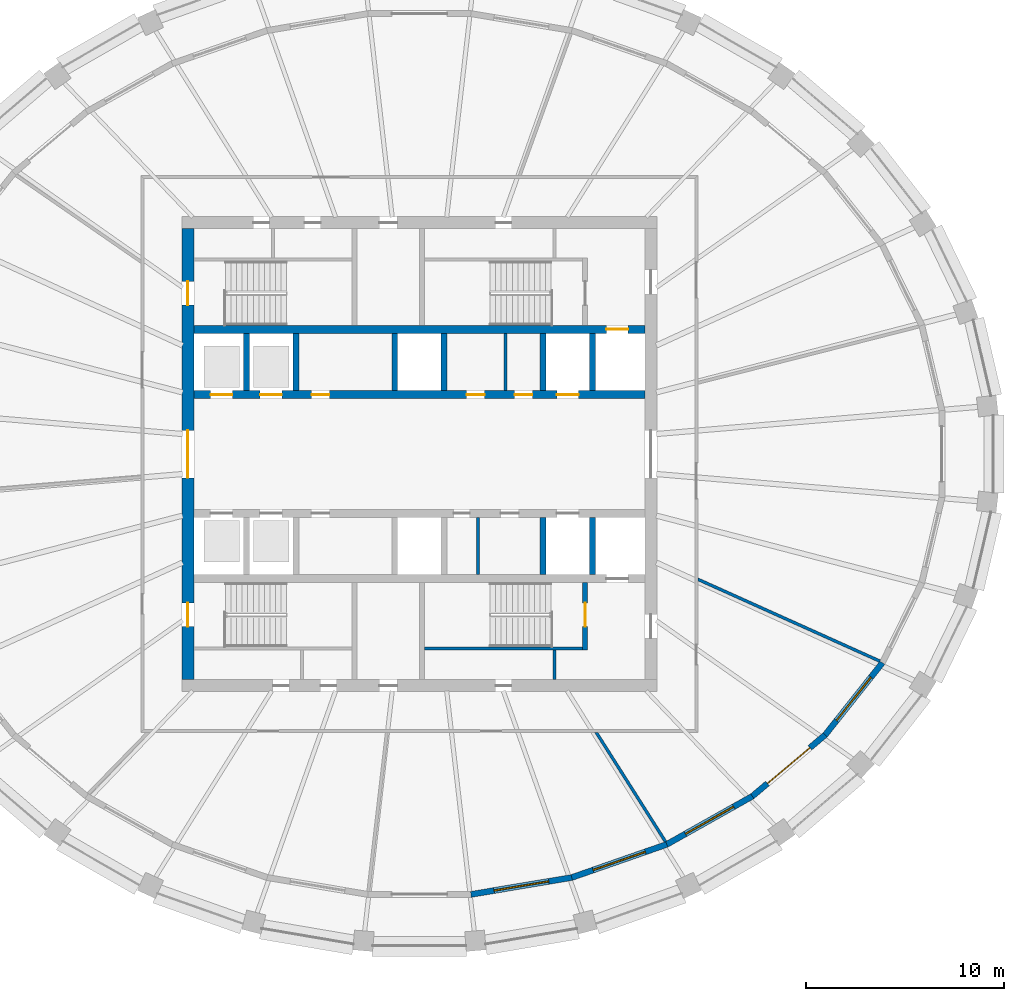
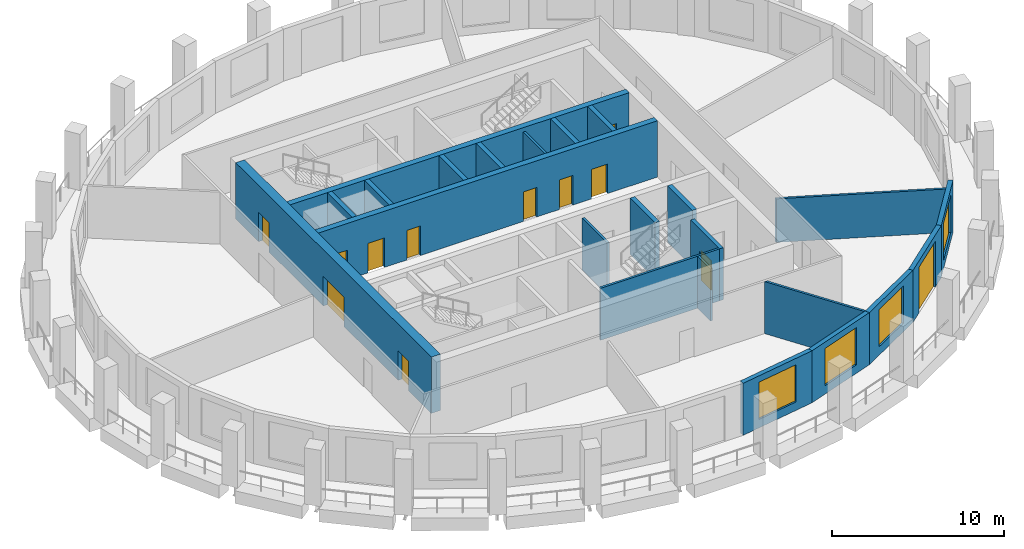
# One storey, part 4 of 10: 23 walls, 12 doors, 4 windows, 16 openings.
"""IFC4 building model written with IfcOpenShell, lengths in metres."""

from ifc_helpers import new_model, si_unit, direction, frame, frame_2d, origin, place, context, subcontext, project, spatial, polyline, rectangle, outline, extrude, material, layer, layer_set, type_object, element, fill, save


model = new_model("IFC4")

# Units and contexts
model_context = context("Model", 3, precision=1e-05, world=origin(), true_north=direction((0.0, 1.0)))
body_context = subcontext(model_context, "Body", "Model", "MODEL_VIEW")
ifc_project = project(units=[si_unit("LENGTHUNIT", "METRE"), si_unit("AREAUNIT", "SQUARE_METRE"), si_unit("VOLUMEUNIT", "CUBIC_METRE"), si_unit("PLANEANGLEUNIT", "RADIAN"), si_unit("MASSUNIT", "GRAM", prefix="KILO")], contexts=[model_context])

# Site, building, storey
site_placement = place(None, origin())
site = spatial("IfcSite", under=ifc_project, at=site_placement, CompositionType="ELEMENT")
building_placement = place(site_placement, origin())
building = spatial("IfcBuilding", under=site, at=building_placement, Name="Halqa Exchange Tower", CompositionType="ELEMENT")
storey_placement = place(building_placement, frame((0.0, 0.0, 300.300048828125)))
storey = spatial("IfcBuildingStorey", under=building, at=storey_placement, Name="L70", CompositionType="ELEMENT", Elevation=300.300048828125)

# Walls
ifc_material_1 = material(Name="Fire-rated gypsum board")
ifc_layer_1 = layer(ifc_material_1, 0.14990234375)
ifc_layer_set_1 = layer_set([ifc_layer_1], Name="Fire-rated gypsum board")
wall_type_1 = type_object("IfcWallType", Name="Fire partition EI 60 150", PredefinedType="PARTITIONING", material=ifc_layer_set_1)
wall_1_placement = place(storey_placement, frame((8.912109375, -14.034912109375, 0.0), z_axis=(0.0, 0.0, 1.0), x_axis=(0.535569757711, -0.844490991442, 0.0)))
element("IfcWall", 1, at=wall_1_placement, inside=storey, type_object=wall_type_1, Name="L70-PWL-009", PredefinedType="PARTITIONING", context=body_context, shape_type="SweptSolid", body=[
    extrude(outline(polyline([(0.0, -0.074951171875), (1.640869140625, -0.074951171875), (3.281494140625, -0.074951171875), (4.92236328125, -0.074951171875), (6.563232421875, -0.074951171875), (6.580810546875, 0.0009765625), (6.584716796875, 0.0732421875), (6.584716796875, 0.074951171875), (4.96240234375, 0.074951171875), (3.33984375, 0.074951171875), (1.717529296875, 0.074951171875), (0.094970703125, 0.074951171875), (0.0, -0.074951171875), (0.0, -0.074951171875)])), origin(), (0.0, 0.0, 1.0), 3.699951171875),
])
wall_2_placement = place(storey_placement, frame((14.044677734375, -6.320068359375, 0.0), z_axis=(0.0, 0.0, 1.0), x_axis=(0.912030730905, -0.410121867114, 0.0)))
element("IfcWall", 2, at=wall_2_placement, inside=storey, type_object=wall_type_1, Name="L70-PWL-011", PredefinedType="PARTITIONING", context=body_context, shape_type="SweptSolid", body=[
    extrude(outline(polyline([(0.06689453125, -0.074951171875), (1.73876953125, -0.074951171875), (3.410400390625, -0.074951171875), (5.082275390625, -0.074951171875), (6.75390625, -0.074951171875), (8.42578125, -0.074951171875), (10.097412109375, -0.074951171875), (10.115478515625, -0.003662109375), (10.1181640625, 0.072998046875), (10.1181640625, 0.074951171875), (8.431884765625, 0.074951171875), (6.745361328125, 0.074951171875), (5.05908203125, 0.074951171875), (3.372802734375, 0.074951171875), (1.686279296875, 0.074951171875), (0.0, 0.074951171875), (0.0, 0.073974609375), (0.06689453125, -0.074951171875)])), origin(), (0.0, 0.0, 1.0), 3.099853515625),
])
ifc_material_2 = material(Name="Gypsum board")
ifc_layer_2 = layer(ifc_material_2, 0.14990234375)
ifc_layer_set_2 = layer_set([ifc_layer_2], Name="Gypsum board")
wall_type_2 = type_object("IfcWallType", Name="Penthouse riser wall 150 gypsum", PredefinedType="PARTITIONING", material=ifc_layer_set_2)
wall_3_placement = place(storey_placement, frame((6.824951171875, -11.39990234375, 0.0), z_axis=(0.0, 0.0, 1.0), x_axis=(0.0, 1.0, 0.0)))
element("IfcWall", 3, at=wall_3_placement, inside=storey, type_object=wall_type_2, Name="Firefighting lobby west wall S", PredefinedType="PARTITIONING", context=body_context, shape_type="SweptSolid", body=[
    extrude(rectangle(XDim=1.5, YDim=0.14990234375, at=frame_2d((0.75, 0.0))), origin(), (0.0, 0.0, 1.0), 3.699951171875),
])
for number, where, z_axis, x_axis, name in (
    (4, (4.35009765625, 3.199951171875, 0.0), (0.0, 0.0, 1.0), (0.0, 1.0, 0.0), "Freed bay partition NE4.350"),
    (5, (2.949951171875, -6.10009765625, 0.0), (0.0, 0.0, 1.0), (0.0, 1.0, 0.0), "Freed bay partition SE2.950"),
):
    element("IfcWall", number, at=place(storey_placement, frame(where, z_axis=z_axis, x_axis=x_axis)), inside=storey, type_object=wall_type_2, Name=name, PredefinedType="PARTITIONING", context=body_context, shape_type="SweptSolid", body=[
        extrude(rectangle(XDim=2.900146484375, YDim=0.14990234375, at=frame_2d((1.4501953125, 0.0))), origin(), (0.0, 0.0, 1.0), 3.699951171875),
    ])
ifc_material_3 = material(Name="Concrete C60/75", Category="concrete")
ifc_layer_3 = layer(ifc_material_3, 0.300048828125)
ifc_layer_set_3 = layer_set([ifc_layer_3], Name="Concrete C60/75")
wall_type_3 = type_object("IfcWallType", Name="RC core wall 300", PredefinedType="SHEAR", material=ifc_layer_set_3)
for number, where, z_axis, x_axis, name in (
    (6, (-8.75, 3.199951171875, 0.0), (0.0, 0.0, 1.0), (0.0, 1.0, 0.0), "Shaft divider N1"),
    (7, (-6.25, 3.199951171875, 0.0), (0.0, 0.0, 1.0), (0.0, 1.0, 0.0), "Shaft divider N2"),
    (8, (-1.25, 3.199951171875, 0.0), (0.0, 0.0, 1.0), (0.0, 1.0, 0.0), "Shaft divider N4"),
    (9, (1.25, 3.199951171875, 0.0), (0.0, 0.0, 1.0), (0.0, 1.0, 0.0), "Shaft divider N5"),
    (10, (6.25, 3.199951171875, 0.0), (0.0, 0.0, 1.0), (0.0, 1.0, 0.0), "Shaft divider N7"),
    (11, (8.75, 3.199951171875, 0.0), (0.0, 0.0, 1.0), (0.0, 1.0, 0.0), "Shaft divider N8"),
    (12, (6.25, -6.10009765625, 0.0), (0.0, 0.0, 1.0), (0.0, 1.0, 0.0), "Shaft divider S7"),
    (13, (8.75, -6.10009765625, 0.0), (0.0, 0.0, 1.0), (0.0, 1.0, 0.0), "Shaft divider S8"),
):
    element("IfcWall", number, at=place(storey_placement, frame(where, z_axis=z_axis, x_axis=x_axis)), inside=storey, type_object=wall_type_3, Name=name, PredefinedType="SHEAR", context=body_context, shape_type="SweptSolid", body=[
        extrude(rectangle(XDim=2.900146484375, YDim=0.300048828125, at=frame_2d((1.4501953125, 0.0))), origin(), (0.0, 0.0, 1.0), 4.0),
    ])

# Wall, openings, doors
ifc_layer_4 = layer(ifc_material_3, 0.39990234375)
ifc_layer_set_4 = layer_set([ifc_layer_4], Name="Concrete C60/75")
wall_type_4 = type_object("IfcWallType", Name="RC core wall 400 C60/75", PredefinedType="SHEAR", material=ifc_layer_set_4)
wall_4_placement = place(storey_placement, frame((-11.39990234375, 3.0, 0.0), z_axis=(0.0, 0.0, 1.0), x_axis=(1.0, 0.0, 0.0)))
wall_4 = element("IfcWall", 14, at=wall_4_placement, inside=storey, type_object=wall_type_4, Name="Lift row front wall N", PredefinedType="SHEAR", context=body_context, shape_type="SweptSolid", body=[
    extrude(rectangle(XDim=22.7998046875, YDim=0.39990234375, at=frame_2d((11.39990234375, 0.0))), origin(), (0.0, 0.0, 1.0), 4.0),
])
opening_1_placement = place(wall_4_placement, frame((0.85009765625, 0.0, 0.0)))
opening_1 = element("IfcOpeningElement", 15, at=opening_1_placement, cuts=wall_4, Name="Opening LD-HR1-T21", PredefinedType="OPENING", context=body_context, shape_type="SweptSolid", body=[
    extrude(rectangle(XDim=1.10009765625, YDim=2.10009765625, at=frame_2d((0.550048828125, 1.050048828125))), frame((0.0, 0.2119140625, 0.0), z_axis=(0.0, -1.0, 0.0), x_axis=(1.0, 0.0, 0.0)), (0.0, 0.0, 1.0), 0.423828125),
])
opening_2_placement = place(wall_4_placement, frame((3.35009765625, 0.0, 0.0)))
opening_2 = element("IfcOpeningElement", 16, at=opening_2_placement, cuts=wall_4, Name="Opening LD-HR2-T21", PredefinedType="OPENING", context=body_context, shape_type="SweptSolid", body=[
    extrude(rectangle(XDim=1.10009765625, YDim=2.10009765625, at=frame_2d((0.550048828125, 1.050048828125))), frame((0.0, 0.2119140625, 0.0), z_axis=(0.0, -1.0, 0.0), x_axis=(1.0, 0.0, 0.0)), (0.0, 0.0, 1.0), 0.423828125),
])
opening_3_placement = place(wall_4_placement, frame((18.35009765625, 0.0, 0.0)))
opening_3 = element("IfcOpeningElement", 17, at=opening_3_placement, cuts=wall_4, Name="Opening LD-SV1-T21", PredefinedType="OPENING", context=body_context, shape_type="SweptSolid", body=[
    extrude(rectangle(XDim=1.10009765625, YDim=2.10009765625, at=frame_2d((0.550048828125, 1.050048828125))), frame((0.0, 0.2119140625, 0.0), z_axis=(0.0, -1.0, 0.0), x_axis=(1.0, 0.0, 0.0)), (0.0, 0.0, 1.0), 0.423828125),
])
opening_4_placement = place(wall_4_placement, frame((13.78759765625, 0.0, 0.0)))
opening_4 = element("IfcOpeningElement", 18, at=opening_4_placement, cuts=wall_4, Name="Opening T21-C25", PredefinedType="OPENING", context=body_context, shape_type="SweptSolid", body=[
    extrude(rectangle(XDim=0.89990234375, YDim=2.10009765625, at=frame_2d((0.449951171875, 1.050048828125))), frame((0.0, 0.2119140625, 0.0), z_axis=(0.0, -1.0, 0.0), x_axis=(1.0, 0.0, 0.0)), (0.0, 0.0, 1.0), 0.423828125),
])
opening_5_placement = place(wall_4_placement, frame((16.21240234375, 0.0, 0.0)))
opening_5 = element("IfcOpeningElement", 19, at=opening_5_placement, cuts=wall_4, Name="Opening T21-C26", PredefinedType="OPENING", context=body_context, shape_type="SweptSolid", body=[
    extrude(rectangle(XDim=0.89990234375, YDim=2.10009765625, at=frame_2d((0.449951171875, 1.050048828125))), frame((0.0, 0.2119140625, 0.0), z_axis=(0.0, -1.0, 0.0), x_axis=(1.0, 0.0, 0.0)), (0.0, 0.0, 1.0), 0.423828125),
])
opening_6_placement = place(wall_4_placement, frame((5.949951171875, 0.0, 0.0)))
opening_6 = element("IfcOpeningElement", 20, at=opening_6_placement, cuts=wall_4, Name="Opening T21-C27", PredefinedType="OPENING", context=body_context, shape_type="SweptSolid", body=[
    extrude(rectangle(XDim=0.89990234375, YDim=2.10009765625, at=frame_2d((0.449951171875, 1.050048828125))), frame((0.0, 0.2119140625, 0.0), z_axis=(0.0, -1.0, 0.0), x_axis=(1.0, 0.0, 0.0)), (0.0, 0.0, 1.0), 0.423828125),
])
ifc_material_4 = material(Name="Timber fire door leaf", Category="wood")
door_type_1 = type_object("IfcDoorType", Name="Core room door FD30 900 x 2100", OperationType="SINGLE_SWING_LEFT", PredefinedType="DOOR", material=ifc_material_4)
door_1_placement = place(opening_4_placement, origin())
door_1 = element("IfcDoor", 21, at=door_1_placement, inside=storey, type_object=door_type_1, Name="Core room door", OperationType="SINGLE_SWING_RIGHT", OverallHeight=2.10009765625, OverallWidth=0.89990234375, PredefinedType="DOOR", context=body_context, shape_type="SweptSolid", body=[
    extrude(rectangle(XDim=0.89990234375, YDim=2.10009765625, at=frame_2d((0.449951171875, 1.050048828125))), frame((0.0, 0.02490234375, 0.0), z_axis=(0.0, -1.0, 0.0), x_axis=(1.0, 0.0, 0.0)), (0.0, 0.0, 1.0), 0.050048828125),
])
fill(opening_4, door_1)
door_2_placement = place(opening_5_placement, origin())
door_2 = element("IfcDoor", 22, at=door_2_placement, inside=storey, type_object=door_type_1, Name="Core room door", OperationType="SINGLE_SWING_RIGHT", OverallHeight=2.10009765625, OverallWidth=0.89990234375, PredefinedType="DOOR", context=body_context, shape_type="SweptSolid", body=[
    extrude(rectangle(XDim=0.89990234375, YDim=2.10009765625, at=frame_2d((0.449951171875, 1.050048828125))), frame((0.0, 0.02490234375, 0.0), z_axis=(0.0, -1.0, 0.0), x_axis=(1.0, 0.0, 0.0)), (0.0, 0.0, 1.0), 0.050048828125),
])
fill(opening_5, door_2)
door_3_placement = place(opening_6_placement, origin())
door_3 = element("IfcDoor", 23, at=door_3_placement, inside=storey, type_object=door_type_1, Name="Core room door", OperationType="SINGLE_SWING_RIGHT", OverallHeight=2.10009765625, OverallWidth=0.89990234375, PredefinedType="DOOR", context=body_context, shape_type="SweptSolid", body=[
    extrude(rectangle(XDim=0.89990234375, YDim=2.10009765625, at=frame_2d((0.449951171875, 1.050048828125))), frame((0.0, 0.02490234375, 0.0), z_axis=(0.0, -1.0, 0.0), x_axis=(1.0, 0.0, 0.0)), (0.0, 0.0, 1.0), 0.050048828125),
])
fill(opening_6, door_3)
ifc_material_5 = material(Name="Stainless steel", Category="steel")
door_type_2 = type_object("IfcDoorType", Name="Lift landing door 1100 x 2100", OperationType="SLIDING_TO_LEFT", PredefinedType="DOOR", material=ifc_material_5)
door_4_placement = place(opening_1_placement, origin())
door_4 = element("IfcDoor", 24, at=door_4_placement, inside=storey, type_object=door_type_2, Name="Lift landing door HR1", OperationType="SLIDING_TO_LEFT", OverallHeight=2.10009765625, OverallWidth=1.10009765625, PredefinedType="DOOR", context=body_context, shape_type="SweptSolid", body=[
    extrude(rectangle(XDim=1.10009765625, YDim=2.10009765625, at=frame_2d((0.550048828125, 1.050048828125))), frame((0.0, 0.02490234375, 0.0), z_axis=(0.0, -1.0, 0.0), x_axis=(1.0, 0.0, 0.0)), (0.0, 0.0, 1.0), 0.050048828125),
])
fill(opening_1, door_4)
door_5_placement = place(opening_2_placement, origin())
door_5 = element("IfcDoor", 25, at=door_5_placement, inside=storey, type_object=door_type_2, Name="Lift landing door HR2", OperationType="SLIDING_TO_LEFT", OverallHeight=2.10009765625, OverallWidth=1.10009765625, PredefinedType="DOOR", context=body_context, shape_type="SweptSolid", body=[
    extrude(rectangle(XDim=1.10009765625, YDim=2.10009765625, at=frame_2d((0.550048828125, 1.050048828125))), frame((0.0, 0.02490234375, 0.0), z_axis=(0.0, -1.0, 0.0), x_axis=(1.0, 0.0, 0.0)), (0.0, 0.0, 1.0), 0.050048828125),
])
fill(opening_2, door_5)
door_6_placement = place(opening_3_placement, origin())
door_6 = element("IfcDoor", 26, at=door_6_placement, inside=storey, type_object=door_type_2, Name="Lift landing door SV1", OperationType="SLIDING_TO_LEFT", OverallHeight=2.10009765625, OverallWidth=1.10009765625, PredefinedType="DOOR", context=body_context, shape_type="SweptSolid", body=[
    extrude(rectangle(XDim=1.10009765625, YDim=2.10009765625, at=frame_2d((0.550048828125, 1.050048828125))), frame((0.0, 0.02490234375, 0.0), z_axis=(0.0, -1.0, 0.0), x_axis=(1.0, 0.0, 0.0)), (0.0, 0.0, 1.0), 0.050048828125),
])
fill(opening_3, door_6)

# Wall, opening, door
wall_5_placement = place(storey_placement, frame((-11.39990234375, 6.300048828125, 0.0), z_axis=(0.0, 0.0, 1.0), x_axis=(1.0, 0.0, 0.0)))
wall_5 = element("IfcWall", 27, at=wall_5_placement, inside=storey, type_object=wall_type_4, Name="Lift row back wall N", PredefinedType="SHEAR", context=body_context, shape_type="SweptSolid", body=[
    extrude(rectangle(XDim=22.7998046875, YDim=0.39990234375, at=frame_2d((11.39990234375, 0.0))), origin(), (0.0, 0.0, 1.0), 4.0),
])
opening_7_placement = place(wall_5_placement, frame((20.85009765625, 0.0, 0.0)))
opening_7 = element("IfcOpeningElement", 28, at=opening_7_placement, cuts=wall_5, Name="Opening LD-FF1-T21", PredefinedType="OPENING", context=body_context, shape_type="SweptSolid", body=[
    extrude(rectangle(XDim=1.10009765625, YDim=2.10009765625, at=frame_2d((0.550048828125, 1.050048828125))), frame((0.0, 0.2119140625, 0.0), z_axis=(0.0, -1.0, 0.0), x_axis=(1.0, 0.0, 0.0)), (0.0, 0.0, 1.0), 0.423828125),
])
door_7_placement = place(opening_7_placement, origin())
door_7 = element("IfcDoor", 29, at=door_7_placement, inside=storey, type_object=door_type_2, Name="Lift landing door FF1", OperationType="SLIDING_TO_LEFT", OverallHeight=2.10009765625, OverallWidth=1.10009765625, PredefinedType="DOOR", context=body_context, shape_type="SweptSolid", body=[
    extrude(rectangle(XDim=1.10009765625, YDim=2.10009765625, at=frame_2d((0.550048828125, 1.050048828125))), frame((0.0, 0.02490234375, 0.0), z_axis=(0.0, -1.0, 0.0), x_axis=(1.0, 0.0, 0.0)), (0.0, 0.0, 1.0), 0.050048828125),
])
fill(opening_7, door_7)

# Wall, openings, doors
ifc_layer_5 = layer(ifc_material_3, 0.60009765625)
ifc_layer_set_5 = layer_set([ifc_layer_5], Name="Concrete C60/75")
wall_type_5 = type_object("IfcWallType", Name="RC core wall 600 C60/75", PredefinedType="SHEAR", material=ifc_layer_set_5)
wall_6_placement = place(storey_placement, frame((-11.699951171875, -11.39990234375, 0.0), z_axis=(0.0, 0.0, 1.0), x_axis=(0.0, 1.0, 0.0)))
wall_6 = element("IfcWall", 30, at=wall_6_placement, inside=storey, type_object=wall_type_5, Name="Core wall west", PredefinedType="SHEAR", context=body_context, shape_type="SweptSolid", body=[
    extrude(rectangle(XDim=22.7998046875, YDim=0.60009765625, at=frame_2d((11.39990234375, 0.0))), origin(), (0.0, 0.0, 1.0), 4.0),
])
opening_8_placement = place(wall_6_placement, frame((10.199951171875, 0.0, 0.0)))
opening_8 = element("IfcOpeningElement", 31, at=opening_8_placement, cuts=wall_6, Name="Opening T21-C09", PredefinedType="OPENING", context=body_context, shape_type="SweptSolid", body=[
    extrude(rectangle(XDim=2.39990234375, YDim=2.10009765625, at=frame_2d((1.199951171875, 1.050048828125))), frame((0.0, 0.31201171875, 0.0), z_axis=(0.0, -1.0, 0.0), x_axis=(1.0, 0.0, 0.0)), (0.0, 0.0, 1.0), 0.6240234375),
])
opening_9_placement = place(wall_6_placement, frame((18.925048828125, 0.0, 0.0)))
opening_9 = element("IfcOpeningElement", 32, at=opening_9_placement, cuts=wall_6, Name="Opening T21-C11", PredefinedType="OPENING", context=body_context, shape_type="SweptSolid", body=[
    extrude(rectangle(XDim=1.199951171875, YDim=2.10009765625, at=frame_2d((0.60009765625, 1.050048828125))), frame((0.0, 0.31201171875, 0.0), z_axis=(0.0, -1.0, 0.0), x_axis=(1.0, 0.0, 0.0)), (0.0, 0.0, 1.0), 0.6240234375),
])
opening_10_placement = place(wall_6_placement, frame((2.675048828125, 0.0, 0.0)))
opening_10 = element("IfcOpeningElement", 33, at=opening_10_placement, cuts=wall_6, Name="Opening T21-C13", PredefinedType="OPENING", context=body_context, shape_type="SweptSolid", body=[
    extrude(rectangle(XDim=1.199951171875, YDim=2.10009765625, at=frame_2d((0.60009765625, 1.050048828125))), frame((0.0, 0.31201171875, 0.0), z_axis=(0.0, -1.0, 0.0), x_axis=(1.0, 0.0, 0.0)), (0.0, 0.0, 1.0), 0.6240234375),
])
ifc_material_6 = material(Name="Steel fire door leaf", Category="steel")
door_type_3 = type_object("IfcDoorType", Name="Lobby double door FD60 2400 x 2100", OperationType="DOUBLE_DOOR_SINGLE_SWING", PredefinedType="DOOR", material=ifc_material_6)
door_8_placement = place(opening_8_placement, frame((2.39990234375, 0.0, 0.0), z_axis=(0.0, 0.0, 1.0), x_axis=(-1.0, 0.0, 0.0)))
door_8 = element("IfcDoor", 34, at=door_8_placement, inside=storey, type_object=door_type_3, Name="Lift lobby double door", OperationType="DOUBLE_DOOR_SINGLE_SWING", OverallHeight=2.10009765625, OverallWidth=2.39990234375, PredefinedType="DOOR", context=body_context, shape_type="SweptSolid", body=[
    extrude(rectangle(XDim=2.39990234375, YDim=2.10009765625, at=frame_2d((1.199951171875, 1.050048828125))), frame((0.0, 0.02490234375, 0.0), z_axis=(0.0, -1.0, 0.0), x_axis=(1.0, 0.0, 0.0)), (0.0, 0.0, 1.0), 0.050048828125),
])
fill(opening_8, door_8)
door_type_4 = type_object("IfcDoorType", Name="Stair door FD90 1200 x 2100", OperationType="SINGLE_SWING_LEFT", PredefinedType="DOOR", material=ifc_material_6)
door_9_placement = place(opening_9_placement, frame((1.199951171875, 0.0, 0.0), z_axis=(0.0, 0.0, 1.0), x_axis=(-1.0, 0.0, 0.0)))
door_9 = element("IfcDoor", 35, at=door_9_placement, inside=storey, type_object=door_type_4, Name="Stair door ST1", OperationType="SINGLE_SWING_LEFT", OverallHeight=2.10009765625, OverallWidth=1.199951171875, PredefinedType="DOOR", context=body_context, shape_type="SweptSolid", body=[
    extrude(rectangle(XDim=1.199951171875, YDim=2.10009765625, at=frame_2d((0.60009765625, 1.050048828125))), frame((0.0, 0.02490234375, 0.0), z_axis=(0.0, -1.0, 0.0), x_axis=(1.0, 0.0, 0.0)), (0.0, 0.0, 1.0), 0.050048828125),
])
fill(opening_9, door_9)
door_10_placement = place(opening_10_placement, frame((1.199951171875, 0.0, 0.0), z_axis=(0.0, 0.0, 1.0), x_axis=(-1.0, 0.0, 0.0)))
door_10 = element("IfcDoor", 36, at=door_10_placement, inside=storey, type_object=door_type_4, Name="Stair door ST3", OperationType="SINGLE_SWING_LEFT", OverallHeight=2.10009765625, OverallWidth=1.199951171875, PredefinedType="DOOR", context=body_context, shape_type="SweptSolid", body=[
    extrude(rectangle(XDim=1.199951171875, YDim=2.10009765625, at=frame_2d((0.60009765625, 1.050048828125))), frame((0.0, 0.02490234375, 0.0), z_axis=(0.0, -1.0, 0.0), x_axis=(1.0, 0.0, 0.0)), (0.0, 0.0, 1.0), 0.050048828125),
])
fill(opening_10, door_10)

# Wall
ifc_material_7 = material(Name="Concrete C30/37", Category="concrete")
ifc_layer_6 = layer(ifc_material_7, 0.14990234375)
ifc_layer_set_6 = layer_set([ifc_layer_6], Name="Concrete C30/37")
wall_type_6 = type_object("IfcWallType", Name="RC stair wall 150 C30/37", PredefinedType="SHEAR", material=ifc_layer_set_6)
wall_7_placement = place(storey_placement, frame((0.25, -9.824951171875, 0.0), z_axis=(0.0, 0.0, 1.0), x_axis=(1.0, 0.0, 0.0)))
element("IfcWall", 37, at=wall_7_placement, inside=storey, type_object=wall_type_6, Name="Stair ST2 north wall S", PredefinedType="SHEAR", context=body_context, shape_type="SweptSolid", body=[
    extrude(rectangle(XDim=8.0, YDim=0.14990234375, at=frame_2d((4.0, 0.0))), origin(), (0.0, 0.0, 1.0), 3.699951171875),
])

# Wall, opening, door
ifc_layer_7 = layer(ifc_material_7, 0.25)
ifc_layer_set_7 = layer_set([ifc_layer_7], Name="Concrete C30/37")
wall_type_7 = type_object("IfcWallType", Name="RC stair wall 250 C30/37", PredefinedType="SHEAR", material=ifc_layer_set_7)
wall_8_placement = place(storey_placement, frame((8.375, -9.89990234375, 0.0), z_axis=(0.0, 0.0, 1.0), x_axis=(0.0, 1.0, 0.0)))
wall_8 = element("IfcWall", 38, at=wall_8_placement, inside=storey, type_object=wall_type_7, Name="Stair ST2 east wall S", PredefinedType="SHEAR", context=body_context, shape_type="SweptSolid", body=[
    extrude(rectangle(XDim=3.39990234375, YDim=0.25, at=frame_2d((1.699951171875, 0.0))), origin(), (0.0, 0.0, 1.0), 3.699951171875),
])
opening_11_placement = place(wall_8_placement, frame((1.175048828125, 0.0, 0.0)))
opening_11 = element("IfcOpeningElement", 39, at=opening_11_placement, cuts=wall_8, Name="Opening T21-C14", PredefinedType="OPENING", context=body_context, shape_type="SweptSolid", body=[
    extrude(rectangle(XDim=1.199951171875, YDim=2.10009765625, at=frame_2d((0.60009765625, 1.050048828125))), frame((0.0, 0.136962890625, 0.0), z_axis=(0.0, -1.0, 0.0), x_axis=(1.0, 0.0, 0.0)), (0.0, 0.0, 1.0), 0.27392578125),
])
door_11_placement = place(opening_11_placement, origin())
door_11 = element("IfcDoor", 40, at=door_11_placement, inside=storey, type_object=door_type_4, Name="Stair door ST4", OperationType="SINGLE_SWING_LEFT", OverallHeight=2.10009765625, OverallWidth=1.199951171875, PredefinedType="DOOR", context=body_context, shape_type="SweptSolid", body=[
    extrude(rectangle(XDim=1.199951171875, YDim=2.10009765625, at=frame_2d((0.60009765625, 1.050048828125))), frame((0.0, 0.02490234375, 0.0), z_axis=(0.0, -1.0, 0.0), x_axis=(1.0, 0.0, 0.0)), (0.0, 0.0, 1.0), 0.050048828125),
])
fill(opening_11, door_11)

# Wall, opening, window
ifc_material_8 = material(Name="Limestone cladding", Category="masonry")
ifc_layer_8 = layer(ifc_material_8, 0.0400390625)
ifc_material_9 = material(Name="Ventilated cavity")
ifc_layer_9 = layer(ifc_material_9, 0.030029296875, ventilated=True)
ifc_material_10 = material(Name="Mineral wool insulation")
ifc_layer_10 = layer(ifc_material_10, 0.10009765625)
ifc_layer_11 = layer(ifc_material_7, 0.10009765625)
ifc_material_11 = material(Name="Internal plaster")
ifc_layer_12 = layer(ifc_material_11, 0.030029296875)
ifc_layer_set_8 = layer_set([ifc_layer_8, ifc_layer_9, ifc_layer_10, ifc_layer_11, ifc_layer_12], Name="Stone-faced insulated wall 300")
wall_type_8 = type_object("IfcWallType", Name="Stone-faced insulated wall 300", PredefinedType="STANDARD", material=ifc_layer_set_8)
wall_9_placement = place(storey_placement, frame((2.5986328125, -22.258056640625, 0.0), z_axis=(0.0, 0.0, 1.0), x_axis=(0.986263399459, 0.165180225475, 0.0)))
wall_9 = element("IfcWall", 41, at=wall_9_placement, inside=storey, type_object=wall_type_8, Name="Glass-line wall 25", PredefinedType="STANDARD", context=body_context, shape_type="SweptSolid", body=[
    extrude(outline(polyline([(-0.012451171875, -0.14990234375), (5.181396484375, -0.14990234375), (5.156005859375, 0.14990234375), (0.012451171875, 0.14990234375), (-0.012451171875, -0.14990234375)])), origin(), (0.0, 0.0, 1.0), 3.699951171875),
])
opening_12_placement = place(wall_9_placement, frame((1.184326171875, 0.0, 0.60009765625)))
opening_12 = element("IfcOpeningElement", 42, at=opening_12_placement, cuts=wall_9, Name="Opening W-F4-25", PredefinedType="OPENING", context=body_context, shape_type="SweptSolid", body=[
    extrude(rectangle(XDim=2.800048828125, YDim=2.64990234375, at=frame_2d((1.39990234375, 1.324951171875))), frame((0.0, 0.162109375, 0.0), z_axis=(0.0, -1.0, 0.0), x_axis=(1.0, 0.0, 0.0)), (0.0, 0.0, 1.0), 0.323974609375),
])
ifc_material_12 = material(Name="Clear low-emissivity glass in aluminium frame", Category="aluminium")
window_type = type_object("IfcWindowType", Name="Fixed clear glazed window 2800 x 2650", PartitioningType="DOUBLE_PANEL_VERTICAL", PredefinedType="WINDOW", material=ifc_material_12)
window_1_placement = place(opening_12_placement, origin())
window_1 = element("IfcWindow", 43, at=window_1_placement, inside=storey, type_object=window_type, Name="Window 4", OverallHeight=2.64990234375, OverallWidth=2.800048828125, PartitioningType="DOUBLE_PANEL_VERTICAL", PredefinedType="WINDOW", context=body_context, shape_type="SweptSolid", body=[
    extrude(rectangle(XDim=2.800048828125, YDim=2.64990234375, at=frame_2d((1.39990234375, 1.324951171875))), frame((0.0, 0.030029296875, 0.0), z_axis=(0.0, -1.0, 0.0), x_axis=(1.0, 0.0, 0.0)), (0.0, 0.0, 1.0), 0.06005859375),
])
fill(opening_12, window_1)

wall_10_placement = place(storey_placement, frame((7.6962890625, -21.404296875, 0.0), z_axis=(0.0, 0.0, 1.0), x_axis=(0.944230376095, 0.329285585564, 0.0)))
wall_10 = element("IfcWall", 44, at=wall_10_placement, inside=storey, type_object=wall_type_8, Name="Glass-line wall 26", PredefinedType="STANDARD", context=body_context, shape_type="SweptSolid", body=[
    extrude(outline(polyline([(-0.0126953125, -0.14990234375), (5.100341796875, -0.14990234375), (5.073486328125, 0.14990234375), (0.0126953125, 0.14990234375), (-0.0126953125, -0.14990234375)])), origin(), (0.0, 0.0, 1.0), 3.699951171875),
])
opening_13_placement = place(wall_10_placement, frame((1.143310546875, 0.0, 0.60009765625)))
opening_13 = element("IfcOpeningElement", 45, at=opening_13_placement, cuts=wall_10, Name="Opening W-F4-26", PredefinedType="OPENING", context=body_context, shape_type="SweptSolid", body=[
    extrude(rectangle(XDim=2.800048828125, YDim=2.64990234375, at=frame_2d((1.39990234375, 1.324951171875))), frame((0.0, 0.162109375, 0.0), z_axis=(0.0, -1.0, 0.0), x_axis=(1.0, 0.0, 0.0)), (0.0, 0.0, 1.0), 0.323974609375),
])
window_2_placement = place(opening_13_placement, origin())
window_2 = element("IfcWindow", 46, at=window_2_placement, inside=storey, type_object=window_type, Name="Window 4", OverallHeight=2.64990234375, OverallWidth=2.800048828125, PartitioningType="DOUBLE_PANEL_VERTICAL", PredefinedType="WINDOW", context=body_context, shape_type="SweptSolid", body=[
    extrude(rectangle(XDim=2.800048828125, YDim=2.64990234375, at=frame_2d((1.39990234375, 1.324951171875))), frame((0.0, 0.030029296875, 0.0), z_axis=(0.0, -1.0, 0.0), x_axis=(1.0, 0.0, 0.0)), (0.0, 0.0, 1.0), 0.06005859375),
])
fill(opening_13, window_2)

wall_11_placement = place(storey_placement, frame((12.49951171875, -19.729248046875, 0.0), z_axis=(0.0, 0.0, 1.0), x_axis=(0.871512454536, 0.490373369575, 0.0)))
wall_11 = element("IfcWall", 47, at=wall_11_placement, inside=storey, type_object=wall_type_8, Name="Glass-line wall 27", PredefinedType="STANDARD", context=body_context, shape_type="SweptSolid", body=[
    extrude(outline(polyline([(-0.013427734375, -0.14990234375), (4.975830078125, -0.14990234375), (4.947509765625, 0.14990234375), (0.013427734375, 0.14990234375), (-0.013427734375, -0.14990234375)])), origin(), (0.0, 0.0, 1.0), 3.699951171875),
])
opening_14_placement = place(wall_11_placement, frame((1.080810546875, 0.0, 0.60009765625)))
opening_14 = element("IfcOpeningElement", 48, at=opening_14_placement, cuts=wall_11, Name="Opening W-F4-27", PredefinedType="OPENING", context=body_context, shape_type="SweptSolid", body=[
    extrude(rectangle(XDim=2.800048828125, YDim=2.64990234375, at=frame_2d((1.39990234375, 1.324951171875))), frame((0.0, 0.162109375, 0.0), z_axis=(0.0, -1.0, 0.0), x_axis=(1.0, 0.0, 0.0)), (0.0, 0.0, 1.0), 0.323974609375),
])
window_3_placement = place(opening_14_placement, origin())
window_3 = element("IfcWindow", 49, at=window_3_placement, inside=storey, type_object=window_type, Name="Window 4", OverallHeight=2.64990234375, OverallWidth=2.800048828125, PartitioningType="DOUBLE_PANEL_VERTICAL", PredefinedType="WINDOW", context=body_context, shape_type="SweptSolid", body=[
    extrude(rectangle(XDim=2.800048828125, YDim=2.64990234375, at=frame_2d((1.39990234375, 1.324951171875))), frame((0.0, 0.030029296875, 0.0), z_axis=(0.0, -1.0, 0.0), x_axis=(1.0, 0.0, 0.0)), (0.0, 0.0, 1.0), 0.06005859375),
])
fill(opening_14, window_3)

# Wall, opening, door
wall_12_placement = place(storey_placement, frame((16.82373046875, -17.296142578125, 0.0), z_axis=(0.0, 0.0, 1.0), x_axis=(0.764966473721, 0.644070100286, 0.0)))
wall_12 = element("IfcWall", 50, at=wall_12_placement, inside=storey, type_object=wall_type_8, Name="Glass-line wall 28", PredefinedType="STANDARD", context=body_context, shape_type="SweptSolid", body=[
    extrude(outline(polyline([(-0.01416015625, -0.14990234375), (4.825439453125, -0.14990234375), (4.795166015625, 0.14990234375), (0.01416015625, 0.14990234375), (-0.01416015625, -0.14990234375)])), origin(), (0.0, 0.0, 1.0), 3.699951171875),
])
opening_15_placement = place(wall_12_placement, frame((1.005126953125, 0.0, 0.0)))
opening_15 = element("IfcOpeningElement", 51, at=opening_15_placement, cuts=wall_12, Name="Opening LG-F4-07", PredefinedType="OPENING", context=body_context, shape_type="SweptSolid", body=[
    extrude(rectangle(XDim=2.800048828125, YDim=3.25, at=frame_2d((1.39990234375, 1.625))), frame((0.0, 0.162109375, 0.0), z_axis=(0.0, -1.0, 0.0), x_axis=(1.0, 0.0, 0.0)), (0.0, 0.0, 1.0), 0.323974609375),
])
door_type_5 = type_object("IfcDoorType", Name="Glazed sliding loggia door 2800 x 3250", OperationType="DOUBLE_DOOR_SLIDING", PredefinedType="DOOR", material=ifc_material_12)
door_12_placement = place(opening_15_placement, origin())
door_12 = element("IfcDoor", 52, at=door_12_placement, inside=storey, type_object=door_type_5, Name="Loggia door 7", OperationType="DOUBLE_DOOR_SLIDING", OverallHeight=3.25, OverallWidth=2.800048828125, PredefinedType="DOOR", context=body_context, shape_type="SweptSolid", body=[
    extrude(rectangle(XDim=2.800048828125, YDim=3.25, at=frame_2d((1.39990234375, 1.625))), frame((0.0, 0.02490234375, 0.0), z_axis=(0.0, -1.0, 0.0), x_axis=(1.0, 0.0, 0.0)), (0.0, 0.0, 1.0), 0.050048828125),
])
fill(opening_15, door_12)

# Wall, opening, window
wall_13_placement = place(storey_placement, frame((20.50341796875, -14.197998046875, 0.0), z_axis=(0.0, 0.0, 1.0), x_axis=(0.621625671247, 0.783314448256, 0.0)))
wall_13 = element("IfcWall", 53, at=wall_13_placement, inside=storey, type_object=wall_type_8, Name="Glass-line wall 29", PredefinedType="STANDARD", context=body_context, shape_type="SweptSolid", body=[
    extrude(outline(polyline([(-0.01513671875, -0.14990234375), (4.669677734375, -0.14990234375), (4.637451171875, 0.14990234375), (0.01513671875, 0.14990234375), (-0.01513671875, -0.14990234375)])), origin(), (0.0, 0.0, 1.0), 3.699951171875),
])
opening_16_placement = place(wall_13_placement, frame((0.927001953125, 0.0, 0.60009765625)))
opening_16 = element("IfcOpeningElement", 54, at=opening_16_placement, cuts=wall_13, Name="Opening W-F4-29", PredefinedType="OPENING", context=body_context, shape_type="SweptSolid", body=[
    extrude(rectangle(XDim=2.800048828125, YDim=2.64990234375, at=frame_2d((1.39990234375, 1.324951171875))), frame((0.0, 0.162109375, 0.0), z_axis=(0.0, -1.0, 0.0), x_axis=(1.0, 0.0, 0.0)), (0.0, 0.0, 1.0), 0.323974609375),
])
window_4_placement = place(opening_16_placement, origin())
window_4 = element("IfcWindow", 55, at=window_4_placement, inside=storey, type_object=window_type, Name="Window 4", OverallHeight=2.64990234375, OverallWidth=2.800048828125, PartitioningType="DOUBLE_PANEL_VERTICAL", PredefinedType="WINDOW", context=body_context, shape_type="SweptSolid", body=[
    extrude(rectangle(XDim=2.800048828125, YDim=2.64990234375, at=frame_2d((1.39990234375, 1.324951171875))), frame((0.0, 0.030029296875, 0.0), z_axis=(0.0, -1.0, 0.0), x_axis=(1.0, 0.0, 0.0)), (0.0, 0.0, 1.0), 0.06005859375),
])
fill(opening_16, window_4)

save(model, "model.ifc")
